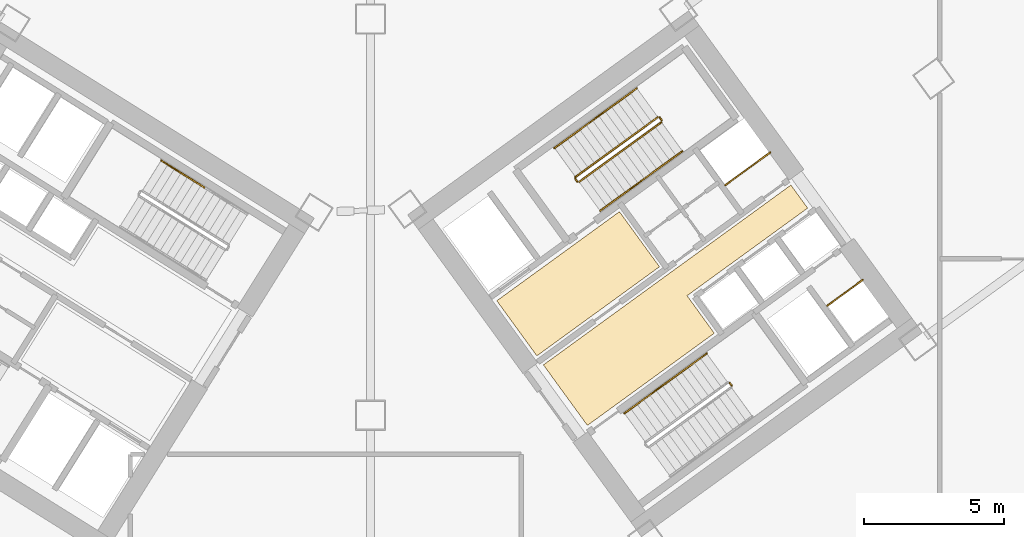
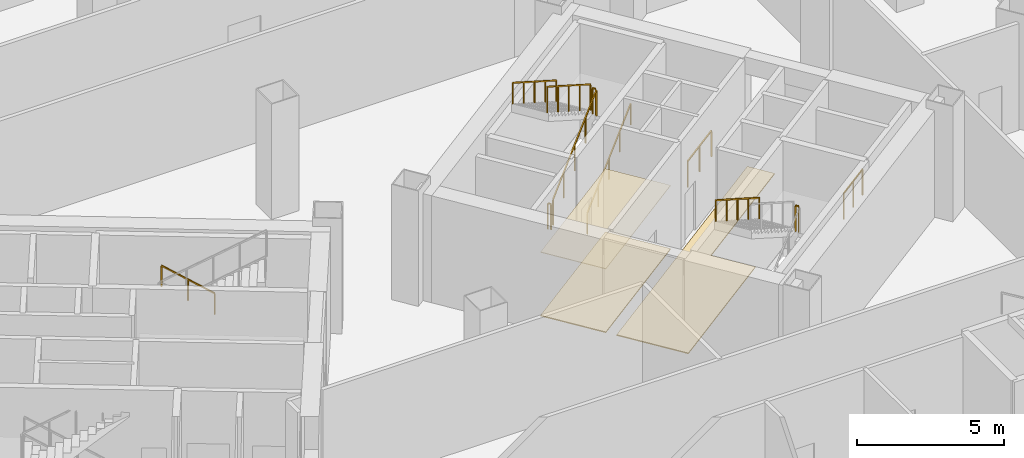
# One storey, part 21 of 22: 14 railings, 3 coverings.
"""IFC4 building model written with IfcOpenShell, lengths in metres."""

from ifc_helpers import new_model, si_unit, direction, frame, origin, origin_2d, place, context, subcontext, project, spatial, polyline, rectangle, outline, extrude, source, transform, mapped, material, layer, layer_set, type_object, element, save


model = new_model("IFC4")

# Units and contexts
model_context = context("Model", 3, precision=1e-05, world=origin(), true_north=direction((0.0, 1.0)))
body_context = subcontext(model_context, "Body", "Model", "MODEL_VIEW")
ifc_project = project(units=[si_unit("LENGTHUNIT", "METRE"), si_unit("AREAUNIT", "SQUARE_METRE"), si_unit("VOLUMEUNIT", "CUBIC_METRE"), si_unit("PLANEANGLEUNIT", "RADIAN"), si_unit("MASSUNIT", "GRAM", prefix="KILO")], contexts=[model_context])

# Site, building, storey
site_placement = place(None, origin())
site = spatial("IfcSite", under=ifc_project, at=site_placement, CompositionType="ELEMENT")
building_placement = place(site_placement, origin())
building = spatial("IfcBuilding", under=site, at=building_placement, Name="Tlacorven Tower", CompositionType="ELEMENT")
storey_placement = place(building_placement, frame((0.0, 0.0, 5.39990234375)))
storey = spatial("IfcBuildingStorey", under=building, at=storey_placement, Name="L01", CompositionType="ELEMENT", Elevation=5.39990234375)

# Coverings
ifc_material_1 = material(Name="Acoustic mineral-fibre ceiling")
ifc_layer_1 = layer(ifc_material_1, 0.02490234375)
ifc_layer_set_1 = layer_set([ifc_layer_1], Name="Acoustic mineral-fibre ceiling")
covering_type_1 = type_object("IfcCoveringType", Name="CV-CLG-ACST", PredefinedType="CEILING", material=ifc_layer_set_1)
covering_1_placement = place(storey_placement, frame((0.0, 0.0, 2.650146484375)))
element("IfcCovering", 1, at=covering_1_placement, inside=storey, type_object=covering_type_1, Name="L01 Acoustic Suspended Ceiling 3", PredefinedType="CEILING", context=body_context, shape_type="SweptSolid", body=[
    extrude(outline(polyline([(48.760498046875, 19.326171875), (47.326171875, 21.300048828125), (51.71923828125, 24.49169921875), (53.1533203125, 22.517822265625), (48.760498046875, 19.326171875)])), origin(), (0.0, 0.0, 1.0), 0.02490234375),
])
ifc_material_2 = material(Name="Terrazzo and ceramic flooring")
ifc_layer_2 = layer(ifc_material_2, 0.0400390625)
ifc_layer_set_2 = layer_set([ifc_layer_2], Name="Terrazzo and ceramic flooring")
covering_type_2 = type_object("IfcCoveringType", Name="CV-FLR-TERZ", PredefinedType="FLOORING", material=ifc_layer_set_2)
covering_2_placement = place(storey_placement, origin())
element("IfcCovering", 2, at=covering_2_placement, inside=storey, type_object=covering_type_2, Name="L01 Terrazzo Floor Finish 3", PredefinedType="FLOORING", context=body_context, shape_type="SweptSolid", body=[
    extrude(outline(polyline([(48.760498046875, 19.326171875), (47.326171875, 21.300048828125), (51.71923828125, 24.49169921875), (53.1533203125, 22.517822265625), (48.760498046875, 19.326171875)])), origin(), (0.0, 0.0, 1.0), 0.0400390625),
])
covering_3_placement = place(storey_placement, origin())
element("IfcCovering", 3, at=covering_3_placement, inside=storey, type_object=covering_type_2, Name="L01 Terrazzo Floor Finish 4", PredefinedType="FLOORING", context=body_context, shape_type="SweptSolid", body=[
    extrude(outline(polyline([(50.57080078125, 16.834228515625), (48.99560546875, 19.00244140625), (57.8623046875, 25.444580078125), (58.4619140625, 24.619384765625), (54.141845703125, 21.480712890625), (55.117431640625, 20.1376953125), (50.57080078125, 16.834228515625)])), origin(), (0.0, 0.0, 1.0), 0.0400390625),
])

# Railings
ifc_material_3 = material(Name="Aluminium and painted steel balustrade", Category="steel")
railing_type_1 = type_object("IfcRailingType", Name="RL-GRD-1100", PredefinedType="GUARDRAIL", material=ifc_material_3)
shared_shape_1 = source(origin(), body_context, "Body", "SweptSolid", [
    extrude(rectangle(XDim=0.048095703125, YDim=0.048095703125, at=origin_2d()), frame((0.0, 0.0, 1.076171875), z_axis=(0.808947177504, 0.587881334972, 0.0), x_axis=(-0.587881334972, 0.808947177504, 0.0)), (0.0, 0.0, 1.0), 2.0),
    extrude(rectangle(XDim=0.0419921875, YDim=0.0419921875, at=origin_2d()), origin(), (0.0, 0.0, 1.0), 1.052001953125),
    extrude(rectangle(XDim=0.0419921875, YDim=0.0419921875, at=origin_2d()), frame((0.80908203125, 0.587890625, 0.0)), (0.0, 0.0, 1.0), 1.052001953125),
    extrude(rectangle(XDim=0.0419921875, YDim=0.0419921875, at=origin_2d()), frame((1.617919921875, 1.17578125, 0.0)), (0.0, 0.0, 1.0), 1.052001953125),
])
railing_1_placement = place(storey_placement, frame((55.506103515625, 25.438232421875, 0.0)))
element("IfcRailing", 4, at=railing_1_placement, inside=storey, type_object=railing_type_1, Name="L01 Electrical Riser E Shaft Guard 1", PredefinedType="GUARDRAIL", context=body_context, shape_type="MappedRepresentation", body=[
    mapped(shared_shape_1, transform((0.0, 0.0, 0.0), scale=1.0)),
])
shared_shape_2 = source(origin(), body_context, "Body", "SweptSolid", [
    extrude(rectangle(XDim=0.048095703125, YDim=0.048095703125, at=origin_2d()), frame((0.0, 0.0, 1.076171875), z_axis=(0.809029975545, 0.58776738483, 0.0), x_axis=(-0.58776738483, 0.809029975545, 0.0)), (0.0, 0.0, 1.0), 1.580078125),
    extrude(rectangle(XDim=0.0419921875, YDim=0.0419921875, at=origin_2d()), origin(), (0.0, 0.0, 1.0), 1.052001953125),
    extrude(rectangle(XDim=0.0419921875, YDim=0.0419921875, at=origin_2d()), frame((0.63916015625, 0.46435546875, 0.0)), (0.0, 0.0, 1.0), 1.052001953125),
    extrude(rectangle(XDim=0.0419921875, YDim=0.0419921875, at=origin_2d()), frame((1.2783203125, 0.9287109375, 0.0)), (0.0, 0.0, 1.0), 1.052001953125),
])
railing_2_placement = place(storey_placement, frame((59.160888671875, 21.122314453125, 0.0)))
element("IfcRailing", 5, at=railing_2_placement, inside=storey, type_object=railing_type_1, Name="L01 Smoke Riser E Shaft Guard 1", PredefinedType="GUARDRAIL", context=body_context, shape_type="MappedRepresentation", body=[
    mapped(shared_shape_2, transform((0.0, 0.0, 0.0), scale=1.0)),
])
railing_type_2 = type_object("IfcRailingType", Name="RL-HND-0900", PredefinedType="HANDRAIL", material=ifc_material_3)
shared_shape_3 = source(origin(), body_context, "Body", "SweptSolid", [
    extrude(rectangle(XDim=0.048095703125, YDim=0.048095703125, at=origin_2d()), frame((0.0, 0.0, 0.8759765625), z_axis=(-0.723243536433, 0.451998610004, 0.522126463189), x_axis=(-0.529974825293, -0.848013375222, 0.0)), (0.0, 0.0, 1.0), 2.134033203125),
    extrude(rectangle(XDim=0.0419921875, YDim=0.0419921875, at=origin_2d()), origin(), (0.0, 0.0, 1.0), 0.851806640625),
    extrude(rectangle(XDim=0.0419921875, YDim=0.0419921875, at=origin_2d()), frame((-0.771728515625, 0.482421875, 0.55712890625)), (0.0, 0.0, 1.0), 0.851806640625),
    extrude(rectangle(XDim=0.0419921875, YDim=0.0419921875, at=origin_2d()), frame((-1.54345703125, 0.964599609375, 1.1142578125)), (0.0, 0.0, 1.0), 0.851806640625),
])
railing_3_placement = place(storey_placement, frame((36.84716796875, 25.359375, 1.285888671875)))
element("IfcRailing", 6, at=railing_3_placement, inside=storey, type_object=railing_type_2, Name="L01 ST-W2 stair handrail 2", PredefinedType="HANDRAIL", context=body_context, shape_type="MappedRepresentation", body=[
    mapped(shared_shape_3, transform((0.0, 0.0, 0.0), scale=1.0)),
])
shared_shape_4 = source(origin(), body_context, "Body", "SweptSolid", [
    extrude(rectangle(XDim=0.048095703125, YDim=0.048095703125, at=origin_2d()), frame((0.0, 0.0, 1.076171875), z_axis=(0.689957088216, 0.501292924636, 0.522172979126), x_axis=(-0.587792740661, 0.809011553704, 0.0)), (0.0, 0.0, 1.0), 4.267822265625),
    extrude(rectangle(XDim=0.0419921875, YDim=0.0419921875, at=origin_2d()), origin(), (0.0, 0.0, 1.0), 1.052001953125),
    extrude(rectangle(XDim=0.0419921875, YDim=0.0419921875, at=origin_2d()), frame((0.736083984375, 0.534912109375, 0.55712890625)), (0.0, 0.0, 1.0), 1.052001953125),
    extrude(rectangle(XDim=0.0419921875, YDim=0.0419921875, at=origin_2d()), frame((1.47216796875, 1.06982421875, 1.1142578125)), (0.0, 0.0, 1.0), 1.052001953125),
    extrude(rectangle(XDim=0.0419921875, YDim=0.0419921875, at=origin_2d()), frame((2.20849609375, 1.6044921875, 1.67138671875)), (0.0, 0.0, 1.0), 1.052001953125),
    extrude(rectangle(XDim=0.0419921875, YDim=0.0419921875, at=origin_2d()), frame((2.944580078125, 2.139404296875, 2.228515625)), (0.0, 0.0, 1.0), 1.052001953125),
])
railing_4_placement = place(storey_placement, frame((50.27734375, 25.557861328125, 0.171630859375)))
element("IfcRailing", 7, at=railing_4_placement, inside=storey, type_object=railing_type_1, Name="L01 ST-E1 stair guard 1", PredefinedType="GUARDRAIL", context=body_context, shape_type="MappedRepresentation", body=[
    mapped(shared_shape_4, transform((0.0, 0.0, 0.0), scale=1.0)),
])
shared_shape_5 = source(origin(), body_context, "Body", "SweptSolid", [
    extrude(rectangle(XDim=0.048095703125, YDim=0.048095703125, at=origin_2d()), frame((0.0, 0.0, 1.076171875), z_axis=(-0.587567097037, 0.809175448515, 0.0), x_axis=(-0.809175448515, -0.587567097037, 0.0)), (0.0, 0.0, 1.0), 0.1201171875),
    extrude(rectangle(XDim=0.0419921875, YDim=0.0419921875, at=origin_2d()), origin(), (0.0, 0.0, 1.0), 1.052001953125),
    extrude(rectangle(XDim=0.0419921875, YDim=0.0419921875, at=origin_2d()), frame((-0.070556640625, 0.09716796875, 0.0)), (0.0, 0.0, 1.0), 1.052001953125),
])
for number, where, name in (
    (8, (53.233154296875, 27.76708984375, 2.400146484375), "L01 ST-E1 stair guard 2"),
    (9, (55.737060546875, 18.263916015625, 2.400146484375), "L01 ST-E2 stair guard 2"),
):
    element("IfcRailing", number, at=place(storey_placement, frame(where)), inside=storey, type_object=railing_type_1, Name=name, PredefinedType="GUARDRAIL", context=body_context, shape_type="MappedRepresentation", body=[
        mapped(shared_shape_5, transform((0.0, 0.0, 0.0), scale=1.0)),
    ])
shared_shape_6 = source(origin(), body_context, "Body", "SweptSolid", [
    extrude(rectangle(XDim=0.048095703125, YDim=0.048095703125, at=origin_2d()), frame((0.0, 0.0, 1.076171875), z_axis=(-0.689987059858, -0.501273139242, 0.522152369623), x_axis=(0.587760844897, -0.809034726823, 0.0)), (0.0, 0.0, 1.0), 4.267822265625),
    extrude(rectangle(XDim=0.0419921875, YDim=0.0419921875, at=origin_2d()), origin(), (0.0, 0.0, 1.0), 1.052001953125),
    extrude(rectangle(XDim=0.0419921875, YDim=0.0419921875, at=origin_2d()), frame((-0.736328125, -0.534912109375, 0.55712890625)), (0.0, 0.0, 1.0), 1.052001953125),
    extrude(rectangle(XDim=0.0419921875, YDim=0.0419921875, at=origin_2d()), frame((-1.472412109375, -1.06982421875, 1.1142578125)), (0.0, 0.0, 1.0), 1.052001953125),
    extrude(rectangle(XDim=0.0419921875, YDim=0.0419921875, at=origin_2d()), frame((-2.20849609375, -1.6044921875, 1.67138671875)), (0.0, 0.0, 1.0), 1.052001953125),
    extrude(rectangle(XDim=0.0419921875, YDim=0.0419921875, at=origin_2d()), frame((-2.94482421875, -2.139404296875, 2.228515625)), (0.0, 0.0, 1.0), 1.052001953125),
])
railing_5_placement = place(storey_placement, frame((53.0927734375, 27.875244140625, 2.571533203125)))
element("IfcRailing", 10, at=railing_5_placement, inside=storey, type_object=railing_type_1, Name="L01 ST-E1 stair guard 3", PredefinedType="GUARDRAIL", context=body_context, shape_type="MappedRepresentation", body=[
    mapped(shared_shape_6, transform((0.0, 0.0, 0.0), scale=1.0)),
])
shared_shape_7 = source(origin(), body_context, "Body", "SweptSolid", [
    extrude(rectangle(XDim=0.048095703125, YDim=0.048095703125, at=origin_2d()), frame((0.0, 0.0, 1.076171875), z_axis=(-0.587201422542, 0.809440849824, 0.0), x_axis=(-0.809440849824, -0.587201422542, 0.0)), (0.0, 0.0, 1.0), 0.11962890625),
    extrude(rectangle(XDim=0.0419921875, YDim=0.0419921875, at=origin_2d()), origin(), (0.0, 0.0, 1.0), 1.052001953125),
    extrude(rectangle(XDim=0.0419921875, YDim=0.0419921875, at=origin_2d()), frame((-0.0703125, 0.096923828125, 0.0)), (0.0, 0.0, 1.0), 1.052001953125),
])
railing_6_placement = place(storey_placement, frame((50.207275390625, 25.56884765625, 0.0)))
element("IfcRailing", 11, at=railing_6_placement, inside=storey, type_object=railing_type_1, Name="L01 ST-E1 stair guard 4", PredefinedType="GUARDRAIL", context=body_context, shape_type="MappedRepresentation", body=[
    mapped(shared_shape_7, transform((0.0, 0.0, 0.0), scale=1.0)),
])
shared_shape_8 = source(origin(), body_context, "Body", "SweptSolid", [
    extrude(rectangle(XDim=0.048095703125, YDim=0.048095703125, at=origin_2d()), frame((0.0, 0.0, 0.8759765625), z_axis=(0.689967274537, 0.501315967008, 0.522137396947), x_axis=(-0.587804744085, 0.8090028324, 0.0)), (0.0, 0.0, 1.0), 2.134033203125),
    extrude(rectangle(XDim=0.0419921875, YDim=0.0419921875, at=origin_2d()), origin(), (0.0, 0.0, 1.0), 0.851806640625),
    extrude(rectangle(XDim=0.0419921875, YDim=0.0419921875, at=origin_2d()), frame((0.736328125, 0.534912109375, 0.55712890625)), (0.0, 0.0, 1.0), 0.851806640625),
    extrude(rectangle(XDim=0.0419921875, YDim=0.0419921875, at=origin_2d()), frame((1.472412109375, 1.06982421875, 1.1142578125)), (0.0, 0.0, 1.0), 0.851806640625),
])
railing_7_placement = place(storey_placement, frame((51.029541015625, 24.522216796875, 0.171630859375)))
element("IfcRailing", 12, at=railing_7_placement, inside=storey, type_object=railing_type_2, Name="L01 ST-E1 stair handrail 1", PredefinedType="HANDRAIL", context=body_context, shape_type="MappedRepresentation", body=[
    mapped(shared_shape_8, transform((0.0, 0.0, 0.0), scale=1.0)),
])
shared_shape_9 = source(origin(), body_context, "Body", "SweptSolid", [
    extrude(rectangle(XDim=0.048095703125, YDim=0.048095703125, at=origin_2d()), frame((0.0, 0.0, 0.8759765625), z_axis=(0.690006844623, 0.501230307792, 0.522167341877), x_axis=(-0.587716940517, 0.809066621379, 0.0)), (0.0, 0.0, 1.0), 2.1337890625),
    extrude(rectangle(XDim=0.0419921875, YDim=0.0419921875, at=origin_2d()), origin(), (0.0, 0.0, 1.0), 0.851806640625),
    extrude(rectangle(XDim=0.0419921875, YDim=0.0419921875, at=origin_2d()), frame((0.736328125, 0.53466796875, 0.55712890625)), (0.0, 0.0, 1.0), 0.851806640625),
    extrude(rectangle(XDim=0.0419921875, YDim=0.0419921875, at=origin_2d()), frame((1.472412109375, 1.069580078125, 1.1142578125)), (0.0, 0.0, 1.0), 0.851806640625),
])
railing_8_placement = place(storey_placement, frame((52.501953125, 25.592041015625, 1.285888671875)))
element("IfcRailing", 13, at=railing_8_placement, inside=storey, type_object=railing_type_2, Name="L01 ST-E1 stair handrail 2", PredefinedType="HANDRAIL", context=body_context, shape_type="MappedRepresentation", body=[
    mapped(shared_shape_9, transform((0.0, 0.0, 0.0), scale=1.0)),
])
shared_shape_10 = source(origin(), body_context, "Body", "SweptSolid", [
    extrude(rectangle(XDim=0.048095703125, YDim=0.048095703125, at=origin_2d()), frame((0.0, 0.0, 0.8759765625), z_axis=(-0.689967274537, -0.501315967008, 0.522137396947), x_axis=(0.587804744085, -0.8090028324, 0.0)), (0.0, 0.0, 1.0), 2.134033203125),
    extrude(rectangle(XDim=0.0419921875, YDim=0.0419921875, at=origin_2d()), origin(), (0.0, 0.0, 1.0), 0.851806640625),
    extrude(rectangle(XDim=0.0419921875, YDim=0.0419921875, at=origin_2d()), frame((-0.736328125, -0.534912109375, 0.55712890625)), (0.0, 0.0, 1.0), 0.851806640625),
    extrude(rectangle(XDim=0.0419921875, YDim=0.0419921875, at=origin_2d()), frame((-1.472412109375, -1.06982421875, 1.1142578125)), (0.0, 0.0, 1.0), 0.851806640625),
])
for number, where, name in (
    (14, (52.34033203125, 28.910888671875, 2.571533203125), "L01 ST-E1 stair handrail 3"),
    (15, (50.867919921875, 27.841064453125, 3.685791015625), "L01 ST-E1 stair handrail 4"),
    (16, (54.844482421875, 19.40771484375, 2.571533203125), "L01 ST-E2 stair handrail 3"),
    (17, (53.3720703125, 18.337890625, 3.685791015625), "L01 ST-E2 stair handrail 4"),
):
    element("IfcRailing", number, at=place(storey_placement, frame(where)), inside=storey, type_object=railing_type_2, Name=name, PredefinedType="HANDRAIL", context=body_context, shape_type="MappedRepresentation", body=[
        mapped(shared_shape_10, transform((0.0, 0.0, 0.0), scale=1.0)),
    ])

save(model, "model.ifc")
